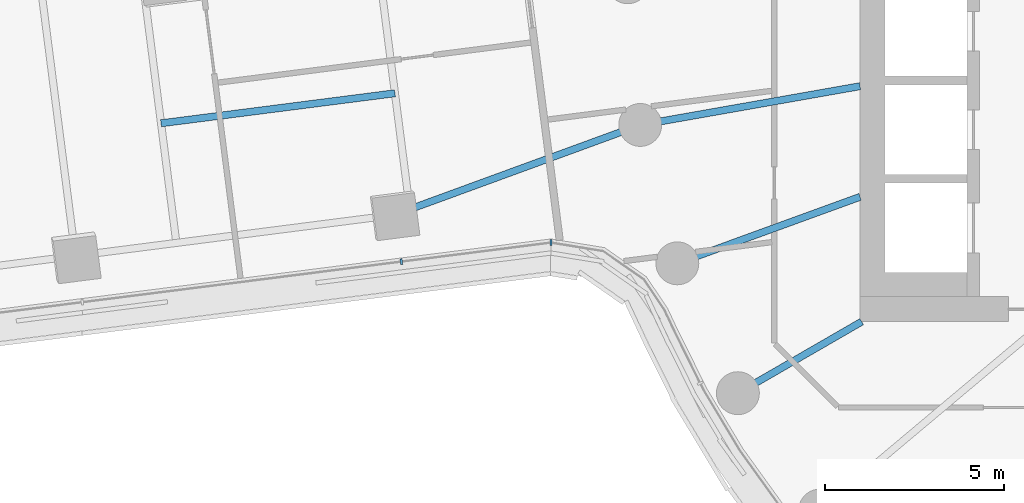
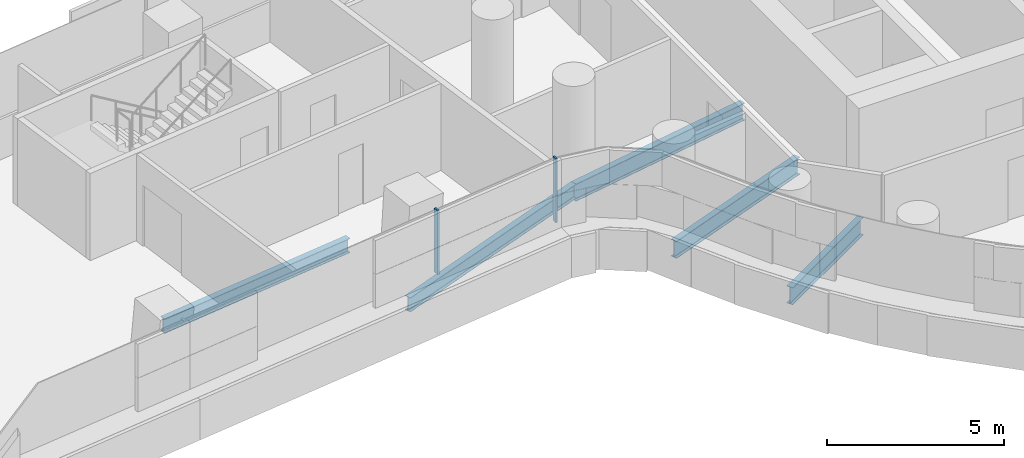
# One storey, part 5 of 31: 5 beams, 2 members, 2 elements without a shape of their own.
"""IFC4 building model written with IfcOpenShell, lengths in metres."""

from ifc_helpers import new_model, si_unit, direction, frame, origin, origin_2d, place, context, subcontext, project, spatial, rectangle, i_section, extrude, material, layer, layer_set, material_profile, profile_set, type_object, element, aggregate, save


model = new_model("IFC4")

# Units and contexts
model_context = context("Model", 3, precision=1e-05, world=origin(), true_north=direction((0.0, 1.0)))
body_context = subcontext(model_context, "Body", "Model", "MODEL_VIEW")
ifc_project = project(units=[si_unit("LENGTHUNIT", "METRE"), si_unit("AREAUNIT", "SQUARE_METRE"), si_unit("VOLUMEUNIT", "CUBIC_METRE"), si_unit("PLANEANGLEUNIT", "RADIAN"), si_unit("MASSUNIT", "GRAM", prefix="KILO")], contexts=[model_context])

# Site, building, storey
site_placement = place(None, origin())
site = spatial("IfcSite", under=ifc_project, at=site_placement, CompositionType="ELEMENT")
building_placement = place(site_placement, origin())
building = spatial("IfcBuilding", under=site, at=building_placement, Name="Tamarind Cross Interchange Tower", CompositionType="ELEMENT")
storey_placement = place(building_placement, frame((0.0, 0.0, 60.25)))
storey = spatial("IfcBuildingStorey", under=building, at=storey_placement, Name="L13", CompositionType="ELEMENT", Elevation=60.25)

# Beams
ifc_material_1 = material(Name="Steel Q355B", Category="steel")
ifc_material_profile_1 = material_profile(ifc_material_1, i_section(OverallWidth=0.198974609375, OverallDepth=0.49609375, WebThickness=0.009033203125, FlangeThickness=0.013916015625, FilletRadius=0.012939453125, at=origin_2d()), Name="HN 496x199x9x14")
ifc_profile_set_1 = profile_set([ifc_material_profile_1], Name="Steel Q355B")
beam_type_1 = type_object("IfcBeamType", Name="Composite beam HN 496x199x9x14 Q355B", PredefinedType="BEAM", material=ifc_profile_set_1)
beam_1_placement = place(storey_placement, frame((-29.5322265625, -6.511962890625, -0.387939453125), z_axis=(0.939104758982, 0.343630981805, 0.0), x_axis=(-0.343630981805, 0.939104758982, 0.0)))
element("IfcBeam", 1, at=beam_1_placement, inside=storey, type_object=beam_type_1, Name="Beam W-linkep", PredefinedType="BEAM", context=body_context, shape_type="SweptSolid", body=[
    extrude(i_section(OverallWidth=0.198974609375, OverallDepth=0.49609375, WebThickness=0.009033203125, FlangeThickness=0.013916015625, FilletRadius=0.012939453125, at=origin_2d()), origin(), (0.0, 0.0, 1.0), 7.327880859375),
])
beam_2_placement = place(storey_placement, frame((-29.515625, -3.10693359375, -0.387939453125), z_axis=(-0.991861554001, -0.12732108111, 0.0), x_axis=(0.12732108111, -0.991861554001, 0.0)))
element("IfcBeam", 2, at=beam_2_placement, inside=storey, type_object=beam_type_1, Name="Beam W-stripp", PredefinedType="BEAM", context=body_context, shape_type="SweptSolid", body=[
    extrude(i_section(OverallWidth=0.198974609375, OverallDepth=0.49609375, WebThickness=0.009033203125, FlangeThickness=0.013916015625, FilletRadius=0.012939453125, at=origin_2d()), origin(), (0.0, 0.0, 1.0), 6.60009765625),
])
ifc_material_profile_2 = material_profile(ifc_material_1, i_section(OverallWidth=0.198974609375, OverallDepth=0.595947265625, WebThickness=0.010009765625, FlangeThickness=0.014892578125, FilletRadius=0.012939453125, at=origin_2d()), Name="HN 596x199x10x15")
ifc_profile_set_2 = profile_set([ifc_material_profile_2], Name="Steel Q355B")
beam_type_2 = type_object("IfcBeamType", Name="Composite beam HN 596x199x10x15 Q355B", PredefinedType="BEAM", material=ifc_profile_set_2)
beam_3_placement = place(storey_placement, frame((-22.650634765625, -3.993896484375, -0.43798828125), z_axis=(0.984809127561, 0.173640382036, 0.0), x_axis=(-0.173640382036, 0.984809127561, 0.0)))
element("IfcBeam", 3, at=beam_3_placement, inside=storey, type_object=beam_type_2, Name="Beam HH19", PredefinedType="BEAM", context=body_context, shape_type="SweptSolid", body=[
    extrude(i_section(OverallWidth=0.198974609375, OverallDepth=0.595947265625, WebThickness=0.010009765625, FlangeThickness=0.014892578125, FilletRadius=0.012939453125, at=origin_2d()), origin(), (0.0, 0.0, 1.0), 6.24560546875),
])
beam_4_placement = place(storey_placement, frame((-21.613037109375, -7.866455078125, -0.43798828125), z_axis=(0.939701685589, 0.341995236956, 0.0), x_axis=(-0.341995236956, 0.939701685589, 0.0)))
element("IfcBeam", 4, at=beam_4_placement, inside=storey, type_object=beam_type_2, Name="Beam HH20", PredefinedType="BEAM", context=body_context, shape_type="SweptSolid", body=[
    extrude(i_section(OverallWidth=0.198974609375, OverallDepth=0.595947265625, WebThickness=0.010009765625, FlangeThickness=0.014892578125, FilletRadius=0.012939453125, at=origin_2d()), origin(), (0.0, 0.0, 1.0), 5.441162109375),
])
beam_5_placement = place(storey_placement, frame((-19.918701171875, -11.5, -0.43798828125), z_axis=(0.866026010844, 0.49999894854, 0.0), x_axis=(-0.49999894854, 0.866026010844, 0.0)))
element("IfcBeam", 5, at=beam_5_placement, inside=storey, type_object=beam_type_2, Name="Beam HH21", PredefinedType="BEAM", context=body_context, shape_type="SweptSolid", body=[
    extrude(i_section(OverallWidth=0.198974609375, OverallDepth=0.595947265625, WebThickness=0.010009765625, FlangeThickness=0.014892578125, FilletRadius=0.012939453125, at=origin_2d()), origin(), (0.0, 0.0, 1.0), 4.0),
])

# Curtain wall, member
ifc_material_2 = material(Name="Aluminium 6063-T6", Category="aluminium")
ifc_layer = layer(ifc_material_2, 0.159912109375)
ifc_layer_set = layer_set([ifc_layer], Name="Aluminium 6063-T6")
curtain_wall_type = type_object("IfcCurtainWallType", Name="Office curtain wall, 9.0 m bays", PredefinedType="NOTDEFINED", material=ifc_layer_set)
curtain_wall_1_placement = place(storey_placement, origin())
curtain_wall_1 = element("IfcCurtainWall", 6, at=curtain_wall_1_placement, inside=storey, type_object=curtain_wall_type, Name="CWS-L13-01", PredefinedType="NOTDEFINED")
ifc_material_profile_3 = material_profile(ifc_material_2, rectangle(XDim=0.06005859375, YDim=0.159912109375, at=origin_2d()), Name="Mullion CW1")
ifc_profile_set_3 = profile_set([ifc_material_profile_3], Name="Aluminium 6063-T6")
member_type = type_object("IfcMemberType", Name="Mullion CW1", PredefinedType="MULLION", material=ifc_profile_set_3)
member_1_placement = place(storey_placement, frame((-29.3359375, -7.81689453125, 1.39990234375), z_axis=(0.0, 0.0, 1.0), x_axis=(0.992009784455, 0.126160958881, 0.0)))
member_1 = element("IfcMember", 7, at=member_1_placement, type_object=member_type, Name="CWM-L13-01-02", PredefinedType="MULLION", context=body_context, shape_type="SweptSolid", body=[
    extrude(rectangle(XDim=0.06005859375, YDim=0.159912109375, at=origin_2d()), origin(), (0.0, 0.0, 1.0), 2.210205078125),
])
aggregate(curtain_wall_1, [member_1])

curtain_wall_2_placement = place(storey_placement, origin())
curtain_wall_2 = element("IfcCurtainWall", 8, at=curtain_wall_2_placement, inside=storey, type_object=curtain_wall_type, Name="CWS-L13-02", PredefinedType="NOTDEFINED")
member_2_placement = place(storey_placement, frame((-25.150634765625, -7.28466796875, 1.39990234375), z_axis=(0.0, 0.0, 1.0), x_axis=(0.999852162584, -0.01719456239, 0.0)))
member_2 = element("IfcMember", 9, at=member_2_placement, type_object=member_type, Name="CWM-L13-02-00", PredefinedType="MULLION", context=body_context, shape_type="SweptSolid", body=[
    extrude(rectangle(XDim=0.06005859375, YDim=0.159912109375, at=origin_2d()), origin(), (0.0, 0.0, 1.0), 2.210205078125),
])
aggregate(curtain_wall_2, [member_2])

save(model, "model.ifc")
